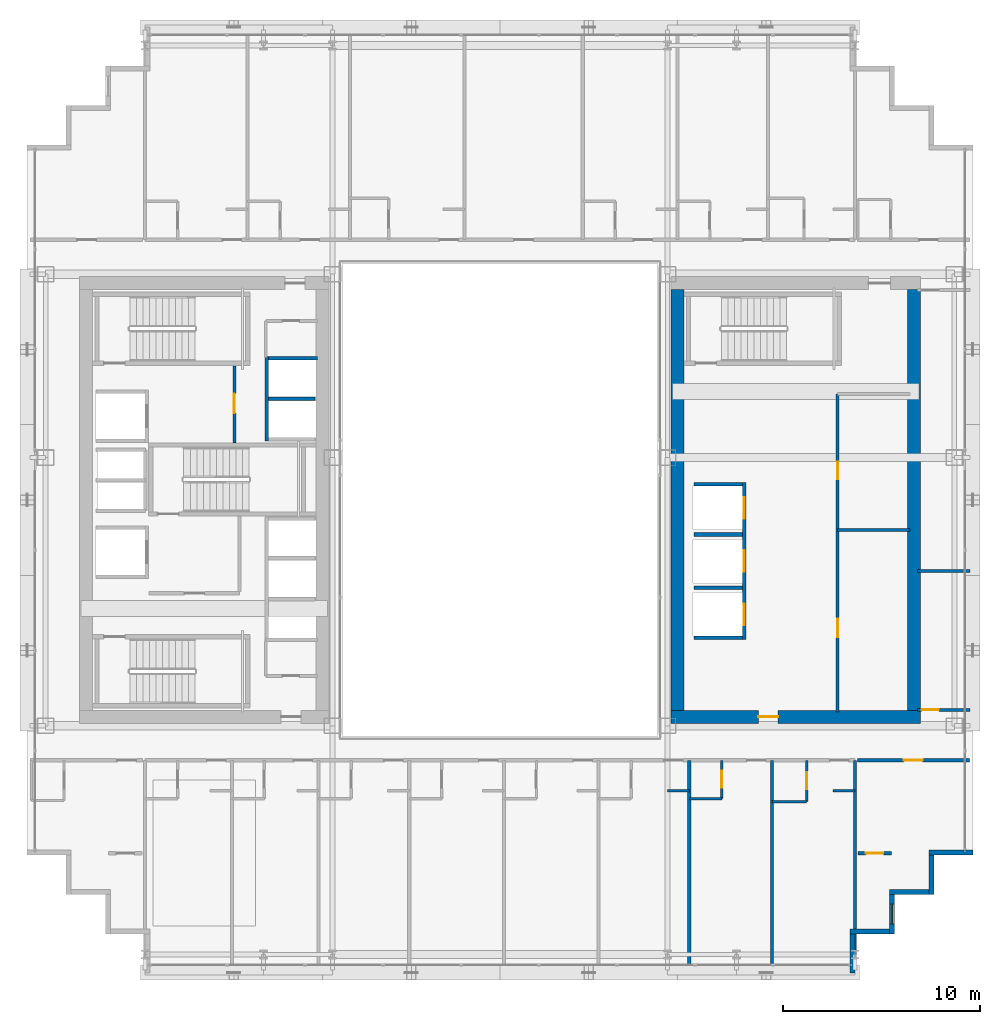
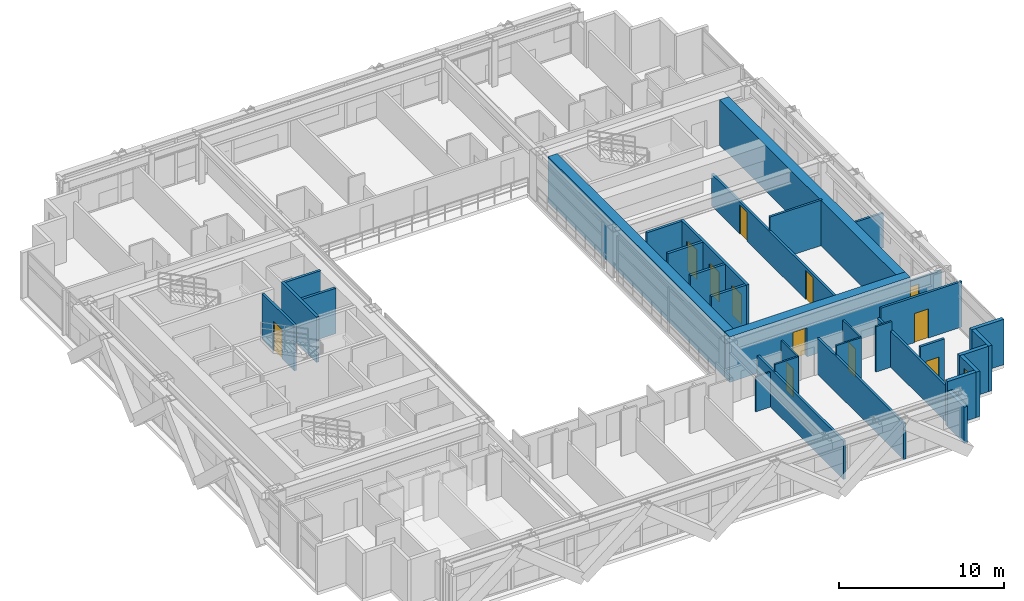
# One storey, part 33 of 39: 33 walls, 12 doors, 1 window, 13 openings.
"""IFC4 building model written with IfcOpenShell, lengths in metres."""

from ifc_helpers import new_model, si_unit, direction, frame, frame_2d, origin, place, context, subcontext, project, spatial, rectangle, extrude, source, transform, mapped, material, layer, layer_set, type_object, element, fill, save


model = new_model("IFC4")

# Units and contexts
model_context = context("Model", 3, precision=1e-05, world=origin(), true_north=direction((0.0, 1.0)))
body_context = subcontext(model_context, "Body", "Model", "MODEL_VIEW")
ifc_project = project(units=[si_unit("LENGTHUNIT", "METRE"), si_unit("AREAUNIT", "SQUARE_METRE"), si_unit("VOLUMEUNIT", "CUBIC_METRE"), si_unit("PLANEANGLEUNIT", "RADIAN"), si_unit("MASSUNIT", "GRAM", prefix="KILO")], contexts=[model_context])

# Site, building, storey
site_placement = place(None, origin())
site = spatial("IfcSite", under=ifc_project, at=site_placement, CompositionType="ELEMENT")
building_placement = place(site_placement, origin())
building = spatial("IfcBuilding", under=site, at=building_placement, Name="Ocotamira Hotel", CompositionType="ELEMENT")
storey_placement = place(building_placement, frame((0.0, 0.0, 104.39990234375)))
storey = spatial("IfcBuildingStorey", under=building, at=storey_placement, Name="L25", CompositionType="ELEMENT", Elevation=104.39990234375)

# Wall, opening, door
ifc_material_1 = material(Name="Concrete C60/75", Category="concrete")
ifc_layer_1 = layer(ifc_material_1, 0.64990234375)
ifc_layer_set_1 = layer_set([ifc_layer_1], Name="Concrete C60/75")
wall_type_1 = type_object("IfcWallType", Name="WL-CORE-650", PredefinedType="SHEAR", material=ifc_layer_set_1)
wall_1_placement = place(storey_placement, frame((40.675048828125, 15.0, 0.0), z_axis=(0.0, 0.0, 1.0), x_axis=(1.0, 0.0, 0.0)))
wall_1 = element("IfcWall", 1, at=wall_1_placement, inside=storey, type_object=wall_type_1, Name="L25 Shear Core Wall ECORE-S", PredefinedType="SHEAR", context=body_context, shape_type="SweptSolid", body=[
    extrude(rectangle(XDim=12.64990234375, YDim=0.64990234375, at=frame_2d((6.324951171875, 0.0))), origin(), (0.0, 0.0, 1.0), 3.360107421875),
])
opening_1_placement = place(wall_1_placement, frame((4.425048828125, 0.0, 0.0)))
opening_1 = element("IfcOpeningElement", 2, at=opening_1_placement, cuts=wall_1, Name="Opening D-FR2", PredefinedType="OPENING", context=body_context, shape_type="SweptSolid", body=[
    extrude(rectangle(XDim=1.0, YDim=2.14990234375, at=frame_2d((0.5, 1.074951171875))), frame((0.0, 0.3349609375, 0.0), z_axis=(0.0, -1.0, 0.0), x_axis=(1.0, 0.0, 0.0)), (0.0, 0.0, 1.0), 0.669921875),
])
ifc_material_2 = material(Name="Fire-rated acoustic timber-veneer door", Category="wood")
door_type_1 = type_object("IfcDoorType", Name="DR-FIRE-1000", OperationType="NOTDEFINED", PredefinedType="DOOR", material=ifc_material_2)
shared_shape_1 = source(origin(), body_context, "Body", "SweptSolid", [
    extrude(rectangle(XDim=1.0, YDim=2.14990234375, at=frame_2d((0.5, 1.074951171875))), frame((0.0, 0.02490234375, 0.0), z_axis=(0.0, -1.0, 0.0), x_axis=(1.0, 0.0, 0.0)), (0.0, 0.0, 1.0), 0.050048828125),
])
door_1_placement = place(opening_1_placement, origin())
door_1 = element("IfcDoor", 3, at=door_1_placement, inside=storey, type_object=door_type_1, Name="L25 Door ID-L25-ELOB-S-D [ID-L25-ELOB-S-D]", OperationType="SINGLE_SWING_RIGHT", OverallHeight=2.14990234375, OverallWidth=1.0, PredefinedType="DOOR", context=body_context, shape_type="MappedRepresentation", body=[
    mapped(shared_shape_1, transform((0.0, 0.0, 0.0), scale=1.0)),
])
fill(opening_1, door_1)

# Walls
for number, where, z_axis, x_axis, name in (
    (4, (41.0, 15.324951171875, 0.0), (0.0, 0.0, 1.0), (0.0, 1.0, 0.0), "L25 Shear Core Wall ECORE-W"),
    (5, (53.0, 15.324951171875, 0.0), (0.0, 0.0, 1.0), (0.0, 1.0, 0.0), "L25 Shear Core Wall ECORE-E"),
):
    element("IfcWall", number, at=place(storey_placement, frame(where, z_axis=z_axis, x_axis=x_axis)), inside=storey, type_object=wall_type_1, Name=name, PredefinedType="SHEAR", context=body_context, shape_type="SweptSolid", body=[
        extrude(rectangle(XDim=21.35009765625, YDim=0.64990234375, at=frame_2d((10.675048828125, 0.0))), origin(), (0.0, 0.0, 1.0), 3.360107421875),
    ])
ifc_material_3 = material(Name="Precast concrete C45/55", Category="concrete")
ifc_layer_2 = layer(ifc_material_3, 0.25)
ifc_layer_set_2 = layer_set([ifc_layer_2], Name="Precast concrete C45/55")
wall_type_2 = type_object("IfcWallType", Name="WL-EXT-SER-250", PredefinedType="SOLIDWALL", material=ifc_layer_set_2)
wall_2_placement = place(storey_placement, frame((49.875, 2.0, 0.0), z_axis=(0.0, 0.0, 1.0), x_axis=(0.0, 1.0, 0.0)))
element("IfcWall", 6, at=wall_2_placement, inside=storey, type_object=wall_type_2, Name="L25 Serrated Corner Wall 01", PredefinedType="SOLIDWALL", context=body_context, shape_type="SweptSolid", body=[
    extrude(rectangle(XDim=2.0, YDim=0.25, at=frame_2d((1.0, 0.0))), origin(), (0.0, 0.0, 1.0), 2.6669921875),
])
wall_3_placement = place(storey_placement, frame((49.75, 4.125, 0.0), z_axis=(0.0, 0.0, 1.0), x_axis=(1.0, 0.0, 0.0)))
element("IfcWall", 7, at=wall_3_placement, inside=storey, type_object=wall_type_2, Name="L25 Serrated Corner Wall 02", PredefinedType="SOLIDWALL", context=body_context, shape_type="SweptSolid", body=[
    extrude(rectangle(XDim=2.0, YDim=0.25, at=frame_2d((1.0, 0.0))), origin(), (0.0, 0.0, 1.0), 3.360107421875),
])

# Wall, opening, window
wall_4_placement = place(storey_placement, frame((51.875, 4.0, 0.0), z_axis=(0.0, 0.0, 1.0), x_axis=(0.0, 1.0, 0.0)))
wall_4 = element("IfcWall", 8, at=wall_4_placement, inside=storey, type_object=wall_type_2, Name="L25 Serrated Corner Wall 03", PredefinedType="SOLIDWALL", context=body_context, shape_type="SweptSolid", body=[
    extrude(rectangle(XDim=2.0, YDim=0.25, at=frame_2d((1.0, 0.0))), origin(), (0.0, 0.0, 1.0), 3.360107421875),
])
opening_2_placement = place(wall_4_placement, frame((0.5, 0.0, 0.85009765625)))
opening_2 = element("IfcOpeningElement", 9, at=opening_2_placement, cuts=wall_4, Name="Opening WN-2", PredefinedType="OPENING", context=body_context, shape_type="SweptSolid", body=[
    extrude(rectangle(XDim=1.0, YDim=1.89990234375, at=frame_2d((0.5, 0.949951171875))), frame((0.0, 0.135009765625, 0.0), z_axis=(0.0, -1.0, 0.0), x_axis=(1.0, 0.0, 0.0)), (0.0, 0.0, 1.0), 0.27001953125),
])
ifc_material_4 = material(Name="Double-silver low-E solar glass", Category="glass")
window_type = type_object("IfcWindowType", Name="WIN-SER-1100", PartitioningType="SINGLE_PANEL", PredefinedType="WINDOW", material=ifc_material_4)
shared_shape_2 = source(origin(), body_context, "Body", "SweptSolid", [
    extrude(rectangle(XDim=1.0, YDim=1.89990234375, at=frame_2d((0.5, 0.949951171875))), frame((0.0, 0.030029296875, 0.0), z_axis=(0.0, -1.0, 0.0), x_axis=(1.0, 0.0, 0.0)), (0.0, 0.0, 1.0), 0.06005859375),
])
window_placement = place(opening_2_placement, origin())
window = element("IfcWindow", 10, at=window_placement, inside=storey, type_object=window_type, Name="L25 Serrated Corner Window 03", OverallHeight=1.89990234375, OverallWidth=1.0, PartitioningType="SINGLE_PANEL", PredefinedType="WINDOW", context=body_context, shape_type="MappedRepresentation", body=[
    mapped(shared_shape_2, transform((0.0, 0.0, 0.0), scale=1.0)),
])
fill(opening_2, window)

# Walls
for number, where, z_axis, x_axis, name in (
    (11, (51.75, 6.125, 0.0), (0.0, 0.0, 1.0), (1.0, 0.0, 0.0), "L25 Serrated Corner Wall 04"),
    (12, (53.875, 6.0, 0.0), (0.0, 0.0, 1.0), (0.0, 1.0, 0.0), "L25 Serrated Corner Wall 05"),
):
    element("IfcWall", number, at=place(storey_placement, frame(where, z_axis=z_axis, x_axis=x_axis)), inside=storey, type_object=wall_type_2, Name=name, PredefinedType="SOLIDWALL", context=body_context, shape_type="SweptSolid", body=[
        extrude(rectangle(XDim=2.0, YDim=0.25, at=frame_2d((1.0, 0.0))), origin(), (0.0, 0.0, 1.0), 3.360107421875),
    ])
wall_5_placement = place(storey_placement, frame((53.75, 8.125, 0.0), z_axis=(0.0, 0.0, 1.0), x_axis=(1.0, 0.0, 0.0)))
element("IfcWall", 13, at=wall_5_placement, inside=storey, type_object=wall_type_2, Name="L25 Serrated Corner Wall 06", PredefinedType="SOLIDWALL", context=body_context, shape_type="SweptSolid", body=[
    extrude(rectangle(XDim=2.25, YDim=0.25, at=frame_2d((1.125, 0.0))), origin(), (0.0, 0.0, 1.0), 3.360107421875),
])

# Wall, opening, door
ifc_material_5 = material(Name="Acoustic double-layer fire gypsum board partition", Category="gypsum")
ifc_layer_3 = layer(ifc_material_5, 0.159912109375)
ifc_layer_set_3 = layer_set([ifc_layer_3], Name="Acoustic double-layer fire gypsum board partition")
wall_type_3 = type_object("IfcWallType", Name="WL-FIRE-160", PredefinedType="PARTITIONING", material=ifc_layer_set_3)
wall_6_placement = place(storey_placement, frame((18.530029296875, 28.89990234375, 0.0), z_axis=(0.0, 0.0, 1.0), x_axis=(0.0, 1.0, 0.0)))
wall_6 = element("IfcWall", 14, at=wall_6_placement, inside=storey, type_object=wall_type_3, Name="L25 Interior Wall PW-L25-FSAE2-E", PredefinedType="PARTITIONING", context=body_context, shape_type="SweptSolid", body=[
    extrude(rectangle(XDim=3.900146484375, YDim=0.159912109375, at=frame_2d((1.9501953125, 0.0))), origin(), (0.0, 0.0, 1.0), 3.360107421875),
])
opening_3_placement = place(wall_6_placement, frame((1.5, 0.0, 0.0)))
opening_3 = element("IfcOpeningElement", 15, at=opening_3_placement, cuts=wall_6, Name="Opening D-FR2", PredefinedType="OPENING", context=body_context, shape_type="SweptSolid", body=[
    extrude(rectangle(XDim=1.0, YDim=2.14990234375, at=frame_2d((0.5, 1.074951171875))), frame((0.0, 0.08984375, 0.0), z_axis=(0.0, -1.0, 0.0), x_axis=(1.0, 0.0, 0.0)), (0.0, 0.0, 1.0), 0.179931640625),
])
door_2_placement = place(opening_3_placement, origin())
door_2 = element("IfcDoor", 16, at=door_2_placement, inside=storey, type_object=door_type_1, Name="L25 Door ID-L25-FSAE2-D [ID-L25-FSAE2-D]", OperationType="SINGLE_SWING_RIGHT", OverallHeight=2.14990234375, OverallWidth=1.0, PredefinedType="DOOR", context=body_context, shape_type="MappedRepresentation", body=[
    mapped(shared_shape_1, transform((0.0, 0.0, 0.0), scale=1.0)),
])
fill(opening_3, door_2)

# Wall, openings, doors
wall_7_placement = place(storey_placement, frame((49.1201171875, 15.25, 0.0), z_axis=(0.0, 0.0, 1.0), x_axis=(0.0, 1.0, 0.0)))
wall_7 = element("IfcWall", 17, at=wall_7_placement, inside=storey, type_object=wall_type_3, Name="L25 Interior Wall PW-L25-EC-FLOW-W", PredefinedType="PARTITIONING", context=body_context, shape_type="SweptSolid", body=[
    extrude(rectangle(XDim=16.1298828125, YDim=0.159912109375, at=frame_2d((8.06494140625, 0.0))), origin(), (0.0, 0.0, 1.0), 2.360107421875),
])
opening_4_placement = place(wall_7_placement, frame((3.800048828125, 0.0, 0.0)))
opening_4 = element("IfcOpeningElement", 18, at=opening_4_placement, cuts=wall_7, Name="Opening D-SV3", PredefinedType="OPENING", context=body_context, shape_type="SweptSolid", body=[
    extrude(rectangle(XDim=0.919921875, YDim=2.14990234375, at=frame_2d((0.4599609375, 1.074951171875))), frame((0.0, 0.08984375, 0.0), z_axis=(0.0, -1.0, 0.0), x_axis=(1.0, 0.0, 0.0)), (0.0, 0.0, 1.0), 0.179931640625),
])
opening_5_placement = place(wall_7_placement, frame((11.800048828125, 0.0, 0.0)))
opening_5 = element("IfcOpeningElement", 19, at=opening_5_placement, cuts=wall_7, Name="Opening D-IN3", PredefinedType="OPENING", context=body_context, shape_type="SweptSolid", body=[
    extrude(rectangle(XDim=0.89990234375, YDim=2.14990234375, at=frame_2d((0.449951171875, 1.074951171875))), frame((0.0, 0.08984375, 0.0), z_axis=(0.0, -1.0, 0.0), x_axis=(1.0, 0.0, 0.0)), (0.0, 0.0, 1.0), 0.179931640625),
])
ifc_material_6 = material(Name="Painted service room door", Category="steel")
door_type_2 = type_object("IfcDoorType", Name="DR-INT-900", OperationType="NOTDEFINED", PredefinedType="DOOR", material=ifc_material_6)
shared_shape_3 = source(origin(), body_context, "Body", "SweptSolid", [
    extrude(rectangle(XDim=0.89990234375, YDim=2.14990234375, at=frame_2d((0.449951171875, 1.074951171875))), frame((0.0, 0.02490234375, 0.0), z_axis=(0.0, -1.0, 0.0), x_axis=(1.0, 0.0, 0.0)), (0.0, 0.0, 1.0), 0.050048828125),
])
door_3_placement = place(opening_5_placement, origin())
door_3 = element("IfcDoor", 20, at=door_3_placement, inside=storey, type_object=door_type_2, Name="L25 Door ID-L25-EC-FLOW-DB [ID-L25-EC-FLOW-DB]", OperationType="SINGLE_SWING_RIGHT", OverallHeight=2.14990234375, OverallWidth=0.89990234375, PredefinedType="DOOR", context=body_context, shape_type="MappedRepresentation", body=[
    mapped(shared_shape_3, transform((0.0, 0.0, 0.0), scale=1.0)),
])
fill(opening_5, door_3)
ifc_material_7 = material(Name="Fire-rated walnut hospitality door", Category="wood")
door_type_3 = type_object("IfcDoorType", Name="DR-SERV-920", OperationType="NOTDEFINED", PredefinedType="DOOR", material=ifc_material_7)
shared_shape_4 = source(origin(), body_context, "Body", "SweptSolid", [
    extrude(rectangle(XDim=0.919921875, YDim=2.14990234375, at=frame_2d((0.4599609375, 1.074951171875))), frame((0.0, 0.02490234375, 0.0), z_axis=(0.0, -1.0, 0.0), x_axis=(1.0, 0.0, 0.0)), (0.0, 0.0, 1.0), 0.050048828125),
])
door_4_placement = place(opening_4_placement, origin())
door_4 = element("IfcDoor", 21, at=door_4_placement, inside=storey, type_object=door_type_3, Name="L25 Door ID-L25-EC-FLOW-DA [ID-L25-EC-FLOW-DA]", OperationType="SINGLE_SWING_LEFT", OverallHeight=2.14990234375, OverallWidth=0.919921875, PredefinedType="DOOR", context=body_context, shape_type="MappedRepresentation", body=[
    mapped(shared_shape_4, transform((0.0, 0.0, 0.0), scale=1.0)),
])
fill(opening_4, door_4)

# Wall, opening, door
wall_8_placement = place(storey_placement, frame((50.1201171875, 12.800048828125, 0.0), z_axis=(0.0, 0.0, 1.0), x_axis=(1.0, 0.0, 0.0)))
wall_8 = element("IfcWall", 22, at=wall_8_placement, inside=storey, type_object=wall_type_3, Name="L25 Interior Wall PW-L25-Z2A-CSE-CW", PredefinedType="PARTITIONING", context=body_context, shape_type="SweptSolid", body=[
    extrude(rectangle(XDim=5.679931640625, YDim=0.159912109375, at=frame_2d((2.83984375, 0.0))), origin(), (0.0, 0.0, 1.0), 3.360107421875),
])
opening_6_placement = place(wall_8_placement, frame((2.360107421875, 0.0, 0.0)))
opening_6 = element("IfcOpeningElement", 23, at=opening_6_placement, cuts=wall_8, Name="Opening D-SV4", PredefinedType="OPENING", context=body_context, shape_type="SweptSolid", body=[
    extrude(rectangle(XDim=0.9599609375, YDim=2.14990234375, at=frame_2d((0.47998046875, 1.074951171875))), frame((0.0, 0.08984375, 0.0), z_axis=(0.0, -1.0, 0.0), x_axis=(1.0, 0.0, 0.0)), (0.0, 0.0, 1.0), 0.179931640625),
])
ifc_material_8 = material(Name="Fire-rated accessible walnut salon door", Category="wood")
door_type_4 = type_object("IfcDoorType", Name="DR-SERV-960", OperationType="NOTDEFINED", PredefinedType="DOOR", material=ifc_material_8)
shared_shape_5 = source(origin(), body_context, "Body", "SweptSolid", [
    extrude(rectangle(XDim=0.9599609375, YDim=2.14990234375, at=frame_2d((0.47998046875, 1.074951171875))), frame((0.0, 0.02490234375, 0.0), z_axis=(0.0, -1.0, 0.0), x_axis=(1.0, 0.0, 0.0)), (0.0, 0.0, 1.0), 0.050048828125),
])
door_5_placement = place(opening_6_placement, origin())
door_5 = element("IfcDoor", 24, at=door_5_placement, inside=storey, type_object=door_type_4, Name="L25 Door ID-L25-Z2A-CSE-CD [ID-L25-Z2A-CSE-CD]", OperationType="SINGLE_SWING_LEFT", OverallHeight=2.14990234375, OverallWidth=0.9599609375, PredefinedType="DOOR", context=body_context, shape_type="MappedRepresentation", body=[
    mapped(shared_shape_5, transform((0.0, 0.0, 0.0), scale=1.0)),
])
fill(opening_6, door_5)

wall_9_placement = place(storey_placement, frame((50.14990234375, 8.080078125, 0.0), z_axis=(0.0, 0.0, 1.0), x_axis=(1.0, 0.0, 0.0)))
wall_9 = element("IfcWall", 25, at=wall_9_placement, inside=storey, type_object=wall_type_3, Name="L25 Interior Wall PW-L25-Z2A-CSE2-CW", PredefinedType="PARTITIONING", context=body_context, shape_type="SweptSolid", body=[
    extrude(rectangle(XDim=1.7001953125, YDim=0.159912109375, at=frame_2d((0.85009765625, 0.0))), origin(), (0.0, 0.0, 1.0), 3.360107421875),
])
opening_7_placement = place(wall_9_placement, frame((0.409912109375, 0.0, 0.0)))
opening_7 = element("IfcOpeningElement", 26, at=opening_7_placement, cuts=wall_9, Name="Opening D-SV2", PredefinedType="OPENING", context=body_context, shape_type="SweptSolid", body=[
    extrude(rectangle(XDim=0.8798828125, YDim=2.14990234375, at=frame_2d((0.43994140625, 1.074951171875))), frame((0.0, 0.08984375, 0.0), z_axis=(0.0, -1.0, 0.0), x_axis=(1.0, 0.0, 0.0)), (0.0, 0.0, 1.0), 0.179931640625),
])
ifc_material_9 = material(Name="Fire-rated painted steel service door", Category="steel")
door_type_5 = type_object("IfcDoorType", Name="DR-SERV-880", OperationType="NOTDEFINED", PredefinedType="DOOR", material=ifc_material_9)
shared_shape_6 = source(origin(), body_context, "Body", "SweptSolid", [
    extrude(rectangle(XDim=0.8798828125, YDim=2.14990234375, at=frame_2d((0.43994140625, 1.074951171875))), frame((0.0, 0.02490234375, 0.0), z_axis=(0.0, -1.0, 0.0), x_axis=(1.0, 0.0, 0.0)), (0.0, 0.0, 1.0), 0.050048828125),
])
door_6_placement = place(opening_7_placement, origin())
door_6 = element("IfcDoor", 27, at=door_6_placement, inside=storey, type_object=door_type_5, Name="L25 Door ID-L25-Z2A-CSE2-CD [ID-L25-Z2A-CSE2-CD]", OperationType="SINGLE_SWING_LEFT", OverallHeight=2.14990234375, OverallWidth=0.8798828125, PredefinedType="DOOR", context=body_context, shape_type="MappedRepresentation", body=[
    mapped(shared_shape_6, transform((0.0, 0.0, 0.0), scale=1.0)),
])
fill(opening_7, door_6)

# Wall
ifc_material_10 = material(Name="Moisture-resistant en-suite tile and gypsum partition", Category="gypsum")
ifc_layer_4 = layer(ifc_material_10, 0.1201171875)
ifc_layer_set_4 = layer_set([ifc_layer_4], Name="Moisture-resistant en-suite tile and gypsum partition")
wall_type_4 = type_object("IfcWallType", Name="WL-PART-120", PredefinedType="PARTITIONING", material=ifc_layer_set_4)
wall_10_placement = place(storey_placement, frame((40.5, 11.25, 0.0), z_axis=(0.0, 0.0, 1.0), x_axis=(1.0, 0.0, 0.0)))
element("IfcWall", 28, at=wall_10_placement, inside=storey, type_object=wall_type_4, Name="L25 Interior Wall PW-L25-Z2AS-DRN6", PredefinedType="PARTITIONING", context=body_context, shape_type="SweptSolid", body=[
    extrude(rectangle(XDim=1.10009765625, YDim=0.1201171875, at=frame_2d((0.550048828125, 0.0))), origin(), (0.0, 0.0, 1.0), 2.5810546875),
])

# Wall, opening, door
wall_11_placement = place(storey_placement, frame((43.25, 10.85009765625, 0.0), z_axis=(0.0, 0.0, 1.0), x_axis=(0.0, 1.0, 0.0)))
wall_11 = element("IfcWall", 29, at=wall_11_placement, inside=storey, type_object=wall_type_4, Name="L25 Interior Wall PW-L25-Z2AS-BAE7", PredefinedType="PARTITIONING", context=body_context, shape_type="SweptSolid", body=[
    extrude(rectangle(XDim=1.949951171875, YDim=0.1201171875, at=frame_2d((0.97509765625, 0.0))), origin(), (0.0, 0.0, 1.0), 3.360107421875),
])
opening_8_placement = place(wall_11_placement, frame((0.544921875, 0.0, 0.0)))
opening_8 = element("IfcOpeningElement", 30, at=opening_8_placement, cuts=wall_11, Name="Opening D-BA1", PredefinedType="OPENING", context=body_context, shape_type="SweptSolid", body=[
    extrude(rectangle(XDim=0.860107421875, YDim=2.10009765625, at=frame_2d((0.43017578125, 1.050048828125))), frame((0.0, 0.070068359375, 0.0), z_axis=(0.0, -1.0, 0.0), x_axis=(1.0, 0.0, 0.0)), (0.0, 0.0, 1.0), 0.14013671875),
])
ifc_material_11 = material(Name="Moisture-sealed en-suite timber door", Category="wood")
door_type_6 = type_object("IfcDoorType", Name="DR-BATH-860", OperationType="NOTDEFINED", PredefinedType="DOOR", material=ifc_material_11)
shared_shape_7 = source(origin(), body_context, "Body", "SweptSolid", [
    extrude(rectangle(XDim=0.860107421875, YDim=2.10009765625, at=frame_2d((0.43017578125, 1.050048828125))), frame((0.0, 0.02490234375, 0.0), z_axis=(0.0, -1.0, 0.0), x_axis=(1.0, 0.0, 0.0)), (0.0, 0.0, 1.0), 0.050048828125),
])
door_7_placement = place(opening_8_placement, origin())
door_7 = element("IfcDoor", 31, at=door_7_placement, inside=storey, type_object=door_type_6, Name="L25 Door ID-L25-Z2AS-BAD7 [ID-L25-Z2AS-BAD7]", OperationType="SINGLE_SWING_RIGHT", OverallHeight=2.10009765625, OverallWidth=0.860107421875, PredefinedType="DOOR", context=body_context, shape_type="MappedRepresentation", body=[
    mapped(shared_shape_7, transform((0.0, 0.0, 0.0), scale=1.0)),
])
fill(opening_8, door_7)

# Wall
wall_12_placement = place(storey_placement, frame((41.60009765625, 10.85009765625, 0.0), z_axis=(0.0, 0.0, 1.0), x_axis=(1.0, 0.0, 0.0)))
element("IfcWall", 32, at=wall_12_placement, inside=storey, type_object=wall_type_4, Name="L25 Interior Wall PW-L25-Z2AS-BAS7", PredefinedType="PARTITIONING", context=body_context, shape_type="SweptSolid", body=[
    extrude(rectangle(XDim=1.64990234375, YDim=0.1201171875, at=frame_2d((0.824951171875, 0.0))), origin(), (0.0, 0.0, 1.0), 3.360107421875),
])

# Wall, opening, door
wall_13_placement = place(storey_placement, frame((47.550048828125, 10.699951171875, 0.0), z_axis=(0.0, 0.0, 1.0), x_axis=(0.0, 1.0, 0.0)))
wall_13 = element("IfcWall", 33, at=wall_13_placement, inside=storey, type_object=wall_type_4, Name="L25 Interior Wall PW-L25-Z2AS-BAE8", PredefinedType="PARTITIONING", context=body_context, shape_type="SweptSolid", body=[
    extrude(rectangle(XDim=2.10009765625, YDim=0.1201171875, at=frame_2d((1.050048828125, 0.0))), origin(), (0.0, 0.0, 1.0), 3.360107421875),
])
opening_9_placement = place(wall_13_placement, frame((0.6201171875, 0.0, 0.0)))
opening_9 = element("IfcOpeningElement", 34, at=opening_9_placement, cuts=wall_13, Name="Opening D-BA1", PredefinedType="OPENING", context=body_context, shape_type="SweptSolid", body=[
    extrude(rectangle(XDim=0.860107421875, YDim=2.10009765625, at=frame_2d((0.43017578125, 1.050048828125))), frame((0.0, 0.070068359375, 0.0), z_axis=(0.0, -1.0, 0.0), x_axis=(1.0, 0.0, 0.0)), (0.0, 0.0, 1.0), 0.14013671875),
])
door_8_placement = place(opening_9_placement, origin())
door_8 = element("IfcDoor", 35, at=door_8_placement, inside=storey, type_object=door_type_6, Name="L25 Door ID-L25-Z2AS-BAD8 [ID-L25-Z2AS-BAD8]", OperationType="SINGLE_SWING_LEFT", OverallHeight=2.10009765625, OverallWidth=0.860107421875, PredefinedType="DOOR", context=body_context, shape_type="MappedRepresentation", body=[
    mapped(shared_shape_7, transform((0.0, 0.0, 0.0), scale=1.0)),
])
fill(opening_9, door_8)

# Walls
wall_14_placement = place(storey_placement, frame((45.800048828125, 10.699951171875, 0.0), z_axis=(0.0, 0.0, 1.0), x_axis=(1.0, 0.0, 0.0)))
element("IfcWall", 36, at=wall_14_placement, inside=storey, type_object=wall_type_4, Name="L25 Interior Wall PW-L25-Z2AS-BAS8", PredefinedType="PARTITIONING", context=body_context, shape_type="SweptSolid", body=[
    extrude(rectangle(XDim=1.75, YDim=0.1201171875, at=frame_2d((0.875, 0.0))), origin(), (0.0, 0.0, 1.0), 3.360107421875),
])
wall_15_placement = place(storey_placement, frame((48.89990234375, 11.25, 0.0), z_axis=(0.0, 0.0, 1.0), x_axis=(1.0, 0.0, 0.0)))
element("IfcWall", 37, at=wall_15_placement, inside=storey, type_object=wall_type_4, Name="L25 Interior Wall PW-L25-Z2AS-DRN8", PredefinedType="PARTITIONING", context=body_context, shape_type="SweptSolid", body=[
    extrude(rectangle(XDim=1.10009765625, YDim=0.1201171875, at=frame_2d((0.550048828125, 0.0))), origin(), (0.0, 0.0, 1.0), 3.360107421875),
])
ifc_material_12 = material(Name="Acoustic hospitality gypsum board partition", Category="gypsum")
ifc_layer_5 = layer(ifc_material_12, 0.14208984375)
ifc_layer_set_5 = layer_set([ifc_layer_5], Name="Acoustic hospitality gypsum board partition")
wall_type_5 = type_object("IfcWallType", Name="WL-PART-142", PredefinedType="PARTITIONING", material=ifc_layer_set_5)
wall_16_placement = place(storey_placement, frame((53.179931640625, 22.39990234375, 0.0), z_axis=(0.0, 0.0, 1.0), x_axis=(1.0, 0.0, 0.0)))
element("IfcWall", 38, at=wall_16_placement, inside=storey, type_object=wall_type_5, Name="L25 Interior Wall PW-L25-Z2A-EF-DV1", PredefinedType="PARTITIONING", context=body_context, shape_type="SweptSolid", body=[
    extrude(rectangle(XDim=2.66015625, YDim=0.14208984375, at=frame_2d((1.330078125, 0.0))), origin(), (0.0, 0.0, 1.0), 2.5810546875),
])
ifc_layer_6 = layer(ifc_material_12, 0.14990234375)
ifc_layer_set_6 = layer_set([ifc_layer_6], Name="Acoustic hospitality gypsum board partition")
wall_type_6 = type_object("IfcWallType", Name="WL-PART-150", PredefinedType="PARTITIONING", material=ifc_layer_set_6)
wall_17_placement = place(storey_placement, frame((49.1201171875, 24.489990234375, 0.0), z_axis=(0.0, 0.0, 1.0), x_axis=(1.0, 0.0, 0.0)))
element("IfcWall", 39, at=wall_17_placement, inside=storey, type_object=wall_type_6, Name="L25 Interior Wall PW-L25-EC-FDIVA", PredefinedType="PARTITIONING", context=body_context, shape_type="SweptSolid", body=[
    extrude(rectangle(XDim=3.679931640625, YDim=0.14990234375, at=frame_2d((1.83984375, 0.0))), origin(), (0.0, 0.0, 1.0), 3.360107421875),
])

# Wall, opening, door
wall_18_placement = place(storey_placement, frame((53.179931640625, 15.360107421875, 0.0), z_axis=(0.0, 0.0, 1.0), x_axis=(1.0, 0.0, 0.0)))
wall_18 = element("IfcWall", 40, at=wall_18_placement, inside=storey, type_object=wall_type_6, Name="L25 Interior Wall PW-L25-Z2A-EF-WS", PredefinedType="PARTITIONING", context=body_context, shape_type="SweptSolid", body=[
    extrude(rectangle(XDim=2.66015625, YDim=0.14990234375, at=frame_2d((1.330078125, 0.0))), origin(), (0.0, 0.0, 1.0), 2.5810546875),
])
opening_10_placement = place(wall_18_placement, frame((0.199951171875, 0.0, 0.0)))
opening_10 = element("IfcOpeningElement", 41, at=opening_10_placement, cuts=wall_18, Name="Opening D-SV2", PredefinedType="OPENING", context=body_context, shape_type="SweptSolid", body=[
    extrude(rectangle(XDim=0.8798828125, YDim=2.14990234375, at=frame_2d((0.43994140625, 1.074951171875))), frame((0.0, 0.0849609375, 0.0), z_axis=(0.0, -1.0, 0.0), x_axis=(1.0, 0.0, 0.0)), (0.0, 0.0, 1.0), 0.169921875),
])
door_9_placement = place(opening_10_placement, origin())
door_9 = element("IfcDoor", 42, at=door_9_placement, inside=storey, type_object=door_type_5, Name="L25 Door ID-L25-Z2A-EF-DS [ID-L25-Z2A-EF-DS]", OperationType="SINGLE_SWING_RIGHT", OverallHeight=2.14990234375, OverallWidth=0.8798828125, PredefinedType="DOOR", context=body_context, shape_type="MappedRepresentation", body=[
    mapped(shared_shape_6, transform((0.0, 0.0, 0.0), scale=1.0)),
])
fill(opening_10, door_9)

# Walls
ifc_material_13 = material(Name="Acoustic double-stud hospitality gypsum partition", Category="gypsum")
ifc_layer_7 = layer(ifc_material_13, 0.159912109375)
ifc_layer_set_7 = layer_set([ifc_layer_7], Name="Acoustic double-stud hospitality gypsum partition")
wall_type_7 = type_object("IfcWallType", Name="WL-PART-160", PredefinedType="PARTITIONING", material=ifc_layer_set_7)
wall_19_placement = place(storey_placement, frame((50.0, 2.360107421875, 0.0), z_axis=(0.0, 0.0, 1.0), x_axis=(0.0, 1.0, 0.0)))
element("IfcWall", 43, at=wall_19_placement, inside=storey, type_object=wall_type_7, Name="L25 Interior Wall PW-L25-Z2AS-PWEND", PredefinedType="PARTITIONING", context=body_context, shape_type="SweptSolid", body=[
    extrude(rectangle(XDim=10.43994140625, YDim=0.159912109375, at=frame_2d((5.219970703125, 0.0))), origin(), (0.0, 0.0, 1.0), 2.6669921875),
])
wall_20_placement = place(storey_placement, frame((41.60009765625, 2.360107421875, 0.0), z_axis=(0.0, 0.0, 1.0), x_axis=(0.0, 1.0, 0.0)))
element("IfcWall", 44, at=wall_20_placement, inside=storey, type_object=wall_type_7, Name="L25 Interior Wall PW-L25-Z2AS-PW6", PredefinedType="PARTITIONING", context=body_context, shape_type="SweptSolid", body=[
    extrude(rectangle(XDim=10.43994140625, YDim=0.159912109375, at=frame_2d((5.219970703125, 0.0))), origin(), (0.0, 0.0, 1.0), 2.822998046875),
])
wall_21_placement = place(storey_placement, frame((45.800048828125, 2.360107421875, 0.0), z_axis=(0.0, 0.0, 1.0), x_axis=(0.0, 1.0, 0.0)))
element("IfcWall", 45, at=wall_21_placement, inside=storey, type_object=wall_type_7, Name="L25 Interior Wall PW-L25-Z2AS-PW7", PredefinedType="PARTITIONING", context=body_context, shape_type="SweptSolid", body=[
    extrude(rectangle(XDim=10.43994140625, YDim=0.159912109375, at=frame_2d((5.219970703125, 0.0))), origin(), (0.0, 0.0, 1.0), 2.6669921875),
])

# Wall, openings, doors
ifc_material_14 = material(Name="Fire-rated gypsum shaftliner board assembly", Category="gypsum")
ifc_layer_8 = layer(ifc_material_14, 0.179931640625)
ifc_layer_set_8 = layer_set([ifc_layer_8], Name="Fire-rated gypsum shaftliner board assembly")
wall_type_8 = type_object("IfcWallType", Name="WL-SHAFT-180", PredefinedType="SOLIDWALL", material=ifc_layer_set_8)
wall_22_placement = place(storey_placement, frame((44.389892578125, 18.919921875, 0.0), z_axis=(0.0, 0.0, 1.0), x_axis=(0.0, 1.0, 0.0)))
wall_22 = element("IfcWall", 46, at=wall_22_placement, inside=storey, type_object=wall_type_8, Name="L25 Interior Wall PW-L25-LFW-BANK-mid-F", PredefinedType="SOLIDWALL", context=body_context, shape_type="SweptSolid", body=[
    extrude(rectangle(XDim=7.9599609375, YDim=0.179931640625, at=frame_2d((3.97998046875, 0.0))), origin(), (0.0, 0.0, 1.0), 3.360107421875),
])
opening_11_placement = place(wall_22_placement, frame((0.72998046875, 0.0, 0.0)))
opening_11 = element("IfcOpeningElement", 47, at=opening_11_placement, cuts=wall_22, Name="Opening LD-LF-P4", PredefinedType="OPENING", context=body_context, shape_type="SweptSolid", body=[
    extrude(rectangle(XDim=1.10009765625, YDim=2.199951171875, at=frame_2d((0.550048828125, 1.10009765625))), frame((0.0, 0.10009765625, 0.0), z_axis=(0.0, -1.0, 0.0), x_axis=(1.0, 0.0, 0.0)), (0.0, 0.0, 1.0), 0.199951171875),
])
opening_12_placement = place(wall_22_placement, frame((3.429931640625, 0.0, 0.0)))
opening_12 = element("IfcOpeningElement", 48, at=opening_12_placement, cuts=wall_22, Name="Opening LD-LF-P5", PredefinedType="OPENING", context=body_context, shape_type="SweptSolid", body=[
    extrude(rectangle(XDim=1.10009765625, YDim=2.199951171875, at=frame_2d((0.550048828125, 1.10009765625))), frame((0.0, 0.10009765625, 0.0), z_axis=(0.0, -1.0, 0.0), x_axis=(1.0, 0.0, 0.0)), (0.0, 0.0, 1.0), 0.199951171875),
])
opening_13_placement = place(wall_22_placement, frame((6.1298828125, 0.0, 0.0)))
opening_13 = element("IfcOpeningElement", 49, at=opening_13_placement, cuts=wall_22, Name="Opening LD-LF-P6", PredefinedType="OPENING", context=body_context, shape_type="SweptSolid", body=[
    extrude(rectangle(XDim=1.10009765625, YDim=2.199951171875, at=frame_2d((0.550048828125, 1.10009765625))), frame((0.0, 0.10009765625, 0.0), z_axis=(0.0, -1.0, 0.0), x_axis=(1.0, 0.0, 0.0)), (0.0, 0.0, 1.0), 0.199951171875),
])
ifc_material_15 = material(Name="Brushed pale-metal stainless elevator landing door", Category="steel")
door_type_7 = type_object("IfcDoorType", Name="DR-LIFT-1100", OperationType="NOTDEFINED", PredefinedType="DOOR", material=ifc_material_15)
shared_shape_8 = source(origin(), body_context, "Body", "SweptSolid", [
    extrude(rectangle(XDim=1.10009765625, YDim=2.199951171875, at=frame_2d((0.550048828125, 1.10009765625))), frame((0.0, 0.02490234375, 0.0), z_axis=(0.0, -1.0, 0.0), x_axis=(1.0, 0.0, 0.0)), (0.0, 0.0, 1.0), 0.050048828125),
])
door_10_placement = place(opening_11_placement, origin())
door_10 = element("IfcDoor", 50, at=door_10_placement, inside=storey, type_object=door_type_7, Name="L25 Landing Door LD-LF-P4 [ID-L25-LD-LF-P4]", OperationType="DOUBLE_DOOR_SLIDING", OverallHeight=2.199951171875, OverallWidth=1.10009765625, PredefinedType="DOOR", context=body_context, shape_type="MappedRepresentation", body=[
    mapped(shared_shape_8, transform((0.0, 0.0, 0.0), scale=1.0)),
])
fill(opening_11, door_10)
door_11_placement = place(opening_12_placement, origin())
door_11 = element("IfcDoor", 51, at=door_11_placement, inside=storey, type_object=door_type_7, Name="L25 Landing Door LD-LF-P5 [ID-L25-LD-LF-P5]", OperationType="DOUBLE_DOOR_SLIDING", OverallHeight=2.199951171875, OverallWidth=1.10009765625, PredefinedType="DOOR", context=body_context, shape_type="MappedRepresentation", body=[
    mapped(shared_shape_8, transform((0.0, 0.0, 0.0), scale=1.0)),
])
fill(opening_12, door_11)
door_12_placement = place(opening_13_placement, origin())
door_12 = element("IfcDoor", 52, at=door_12_placement, inside=storey, type_object=door_type_7, Name="L25 Landing Door LD-LF-P6 [ID-L25-LD-LF-P6]", OperationType="DOUBLE_DOOR_SLIDING", OverallHeight=2.199951171875, OverallWidth=1.10009765625, PredefinedType="DOOR", context=body_context, shape_type="MappedRepresentation", body=[
    mapped(shared_shape_8, transform((0.0, 0.0, 0.0), scale=1.0)),
])
fill(opening_13, door_12)

# Walls
for number, where, z_axis, x_axis, name in (
    (53, (41.85009765625, 19.010009765625, 0.0), (0.0, 0.0, 1.0), (1.0, 0.0, 0.0), "L25 Interior Wall PW-L25-LFW-BANK-mid-S"),
    (54, (41.85009765625, 26.7900390625, 0.0), (0.0, 0.0, 1.0), (1.0, 0.0, 0.0), "L25 Interior Wall PW-L25-LFW-BANK-mid-N"),
    (55, (41.85009765625, 21.550048828125, 0.0), (0.0, 0.0, 1.0), (1.0, 0.0, 0.0), "L25 Interior Wall PW-L25-LFW-DIV-LF-P4"),
    (56, (41.85009765625, 24.25, 0.0), (0.0, 0.0, 1.0), (1.0, 0.0, 0.0), "L25 Interior Wall PW-L25-LFW-DIV-LF-P5"),
):
    element("IfcWall", number, at=place(storey_placement, frame(where, z_axis=z_axis, x_axis=x_axis)), inside=storey, type_object=wall_type_8, Name=name, PredefinedType="SOLIDWALL", context=body_context, shape_type="SweptSolid", body=[
        extrude(rectangle(XDim=2.449951171875, YDim=0.179931640625, at=frame_2d((1.22509765625, 0.0))), origin(), (0.0, 0.0, 1.0), 3.360107421875),
    ])
wall_23_placement = place(storey_placement, frame((20.159912109375, 29.0, 0.0), z_axis=(0.0, 0.0, 1.0), x_axis=(0.0, 1.0, 0.0)))
element("IfcWall", 57, at=wall_23_placement, inside=storey, type_object=wall_type_8, Name="L25 Interior Wall PW-L25-LFW-BANK-obs-F", PredefinedType="SOLIDWALL", context=body_context, shape_type="SweptSolid", body=[
    extrude(rectangle(XDim=4.2900390625, YDim=0.179931640625, at=frame_2d((2.14501953125, 0.0))), origin(), (0.0, 0.0, 1.0), 3.360107421875),
])
wall_24_placement = place(storey_placement, frame((20.25, 33.199951171875, 0.0), z_axis=(0.0, 0.0, 1.0), x_axis=(1.0, 0.0, 0.0)))
element("IfcWall", 58, at=wall_24_placement, inside=storey, type_object=wall_type_8, Name="L25 Interior Wall PW-L25-LFW-BANK-obs-N", PredefinedType="SOLIDWALL", context=body_context, shape_type="SweptSolid", body=[
    extrude(rectangle(XDim=2.5, YDim=0.179931640625, at=frame_2d((1.25, 0.0))), origin(), (0.0, 0.0, 1.0), 3.360107421875),
])
wall_25_placement = place(storey_placement, frame((20.25, 31.14501953125, 0.0), z_axis=(0.0, 0.0, 1.0), x_axis=(1.0, 0.0, 0.0)))
element("IfcWall", 59, at=wall_25_placement, inside=storey, type_object=wall_type_8, Name="L25 Interior Wall PW-L25-LFW-DIV-LF-OBS1", PredefinedType="SOLIDWALL", context=body_context, shape_type="SweptSolid", body=[
    extrude(rectangle(XDim=2.360107421875, YDim=0.179931640625, at=frame_2d((1.18017578125, 0.0))), origin(), (0.0, 0.0, 1.0), 3.360107421875),
])

save(model, "model.ifc")
